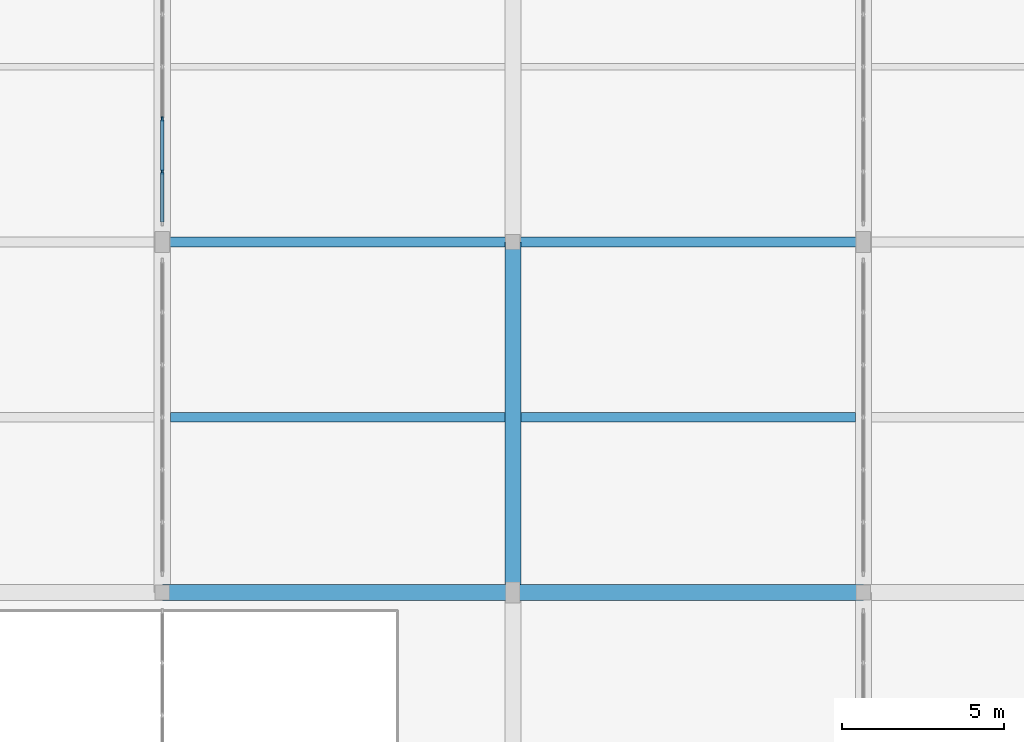
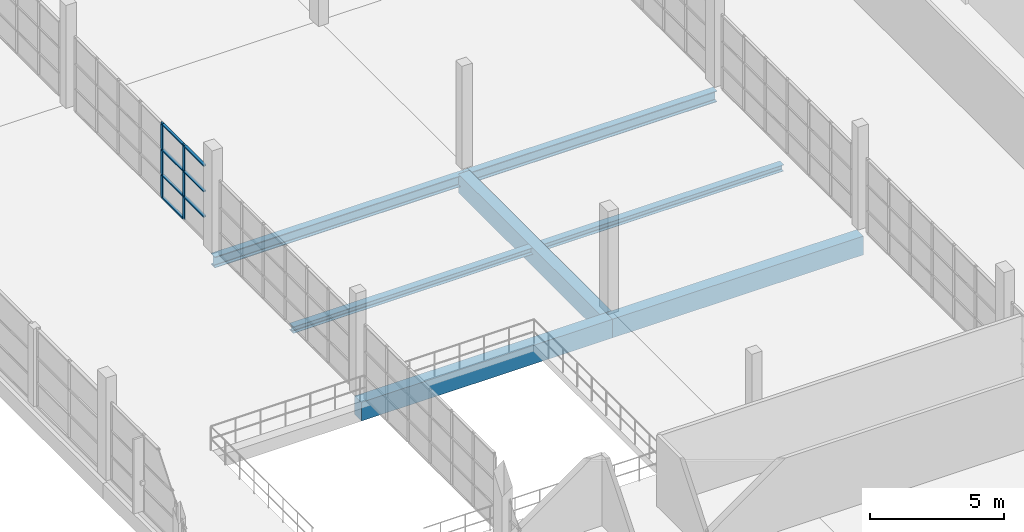
# One storey, part 15 of 142: 9 members, 7 beams, 1 element without a shape of its own.
"""IFC4 building model written with IfcOpenShell, lengths in metres."""

from ifc_helpers import new_model, si_unit, direction, frame, origin, origin_2d, place, context, subcontext, project, spatial, rectangle, i_section, extrude, material, material_profile, profile_set, type_object, element, aggregate, save


model = new_model("IFC4")

# Units and contexts
model_context = context("Model", 3, precision=1e-05, world=origin(), true_north=direction((0.0, 1.0)))
body_context = subcontext(model_context, "Body", "Model", "MODEL_VIEW")
ifc_project = project(units=[si_unit("LENGTHUNIT", "METRE"), si_unit("AREAUNIT", "SQUARE_METRE"), si_unit("VOLUMEUNIT", "CUBIC_METRE"), si_unit("PLANEANGLEUNIT", "RADIAN"), si_unit("MASSUNIT", "GRAM", prefix="KILO")], contexts=[model_context])

# Site, building, storey
site_placement = place(None, origin())
site = spatial("IfcSite", under=ifc_project, at=site_placement, CompositionType="ELEMENT")
building_placement = place(site_placement, origin())
building = spatial("IfcBuilding", under=site, at=building_placement, Name="Zwinboog Wholesale Market", CompositionType="ELEMENT")
storey_placement = place(building_placement, frame((0.0, 0.0, 5.39990234375)))
storey = spatial("IfcBuildingStorey", under=building, at=storey_placement, Name="L01", CompositionType="ELEMENT", Elevation=5.39990234375)

# Beams
ifc_material_1 = material(Name="Precast concrete C45/55", Category="concrete")
ifc_material_profile_1 = material_profile(ifc_material_1, rectangle(XDim=0.5, YDim=0.85009765625, at=origin_2d()), Name="PC 500x850")
ifc_profile_set_1 = profile_set([ifc_material_profile_1], Name="Precast concrete C45/55")
beam_type_1 = type_object("IfcBeamType", Name="BT-03", PredefinedType="BEAM", material=ifc_profile_set_1)
beam_1_placement = place(storey_placement, frame((10.800048828125, 32.39990234375, -0.7568359375), z_axis=(1.0, 0.0, 0.0), x_axis=(0.0, 1.0, 0.0)))
element("IfcBeam", 1, at=beam_1_placement, inside=storey, type_object=beam_type_1, Name="BG-03 (BMG-L01-0108-0324-0450)", PredefinedType="BEAM", context=body_context, shape_type="SweptSolid", body=[
    extrude(rectangle(XDim=0.5, YDim=0.85009765625, at=origin_2d()), origin(), (0.0, 0.0, 1.0), 10.800048828125),
])
beam_2_placement = place(storey_placement, frame((21.60009765625, 32.39990234375, -0.7568359375), z_axis=(1.0, 0.0, 0.0), x_axis=(0.0, 1.0, 0.0)))
element("IfcBeam", 2, at=beam_2_placement, inside=storey, type_object=beam_type_1, Name="BG-03 (BMG-L01-0216-0324-0451)", PredefinedType="BEAM", context=body_context, shape_type="SweptSolid", body=[
    extrude(rectangle(XDim=0.5, YDim=0.85009765625, at=origin_2d()), origin(), (0.0, 0.0, 1.0), 10.7998046875),
])
beam_3_placement = place(storey_placement, frame((21.60009765625, 32.39990234375, -0.7568359375), z_axis=(0.0, 1.0, 0.0), x_axis=(-1.0, 0.0, 0.0)))
element("IfcBeam", 3, at=beam_3_placement, inside=storey, type_object=beam_type_1, Name="BG-03 (BMG-L01-0216-0324-0626)", PredefinedType="BEAM", context=body_context, shape_type="SweptSolid", body=[
    extrude(rectangle(XDim=0.5, YDim=0.85009765625, at=origin_2d()), origin(), (0.0, 0.0, 1.0), 10.800048828125),
])
ifc_material_2 = material(Name="Steel S355", Category="steel")
ifc_material_profile_2 = material_profile(ifc_material_2, i_section(OverallWidth=0.300048828125, OverallDepth=0.5, WebThickness=0.014404296875, FlangeThickness=0.028076171875, FilletRadius=0.027099609375, at=origin_2d()), Name="HEB 500")
ifc_profile_set_2 = profile_set([ifc_material_profile_2], Name="Steel S355")
beam_type_2 = type_object("IfcBeamType", Name="BT-14", PredefinedType="BEAM", material=ifc_profile_set_2)
beam_4_placement = place(storey_placement, frame((10.800048828125, 43.199951171875, -0.581787109375), z_axis=(1.0, 0.0, 0.0), x_axis=(0.0, 1.0, 0.0)))
element("IfcBeam", 4, at=beam_4_placement, inside=storey, type_object=beam_type_2, Name="SB-01 (BMG-L01-0108-0432-0462)", PredefinedType="BEAM", context=body_context, shape_type="SweptSolid", body=[
    extrude(i_section(OverallWidth=0.300048828125, OverallDepth=0.5, WebThickness=0.014404296875, FlangeThickness=0.028076171875, FilletRadius=0.027099609375, at=origin_2d()), origin(), (0.0, 0.0, 1.0), 10.800048828125),
])
beam_5_placement = place(storey_placement, frame((21.60009765625, 43.199951171875, -0.581787109375), z_axis=(1.0, 0.0, 0.0), x_axis=(0.0, 1.0, 0.0)))
element("IfcBeam", 5, at=beam_5_placement, inside=storey, type_object=beam_type_2, Name="SB-01 (BMG-L01-0216-0432-0463)", PredefinedType="BEAM", context=body_context, shape_type="SweptSolid", body=[
    extrude(i_section(OverallWidth=0.300048828125, OverallDepth=0.5, WebThickness=0.014404296875, FlangeThickness=0.028076171875, FilletRadius=0.027099609375, at=origin_2d()), origin(), (0.0, 0.0, 1.0), 10.7998046875),
])
ifc_material_profile_3 = material_profile(ifc_material_2, i_section(OverallWidth=0.300048828125, OverallDepth=0.2900390625, WebThickness=0.008544921875, FlangeThickness=0.013916015625, FilletRadius=0.027099609375, at=origin_2d()), Name="HEA 300")
ifc_profile_set_3 = profile_set([ifc_material_profile_3], Name="Steel S355")
beam_type_3 = type_object("IfcBeamType", Name="BT-18", PredefinedType="JOIST", material=ifc_profile_set_3)
beam_6_placement = place(storey_placement, frame((11.050048828125, 37.800048828125, -0.476806640625), z_axis=(1.0, 0.0, 0.0), x_axis=(0.0, 1.0, 0.0)))
element("IfcBeam", 6, at=beam_6_placement, inside=storey, type_object=beam_type_3, Name="SJ-01 (BMG-L01-0110-0378-0782)", PredefinedType="JOIST", context=body_context, shape_type="SweptSolid", body=[
    extrude(i_section(OverallWidth=0.300048828125, OverallDepth=0.2900390625, WebThickness=0.008544921875, FlangeThickness=0.013916015625, FilletRadius=0.027099609375, at=origin_2d()), origin(), (0.0, 0.0, 1.0), 10.300048828125),
])
beam_7_placement = place(storey_placement, frame((21.85009765625, 37.800048828125, -0.476806640625), z_axis=(1.0, 0.0, 0.0), x_axis=(0.0, 1.0, 0.0)))
element("IfcBeam", 7, at=beam_7_placement, inside=storey, type_object=beam_type_3, Name="SJ-01 (BMG-L01-0218-0378-0787)", PredefinedType="JOIST", context=body_context, shape_type="SweptSolid", body=[
    extrude(i_section(OverallWidth=0.300048828125, OverallDepth=0.2900390625, WebThickness=0.008544921875, FlangeThickness=0.013916015625, FilletRadius=0.027099609375, at=origin_2d()), origin(), (0.0, 0.0, 1.0), 10.2998046875),
])

# Curtain wall, members
ifc_material_3 = material(Name="Aluminium thermally broken curtain wall", Category="aluminium")
curtain_wall_type = type_object("IfcCurtainWallType", Name="CWT-INT-STALL", PredefinedType="USERDEFINED", material=ifc_material_3)
curtain_wall_placement = place(storey_placement, origin())
curtain_wall = element("IfcCurtainWall", 8, at=curtain_wall_placement, inside=storey, type_object=curtain_wall_type, Name="CW-07 (CW-STL-259)", ObjectType="STOREFRONT_GLAZING", PredefinedType="USERDEFINED")
ifc_material_4 = material(Name="Aluminium EN AW-6060", Category="aluminium")
ifc_material_profile_4 = material_profile(ifc_material_4, rectangle(XDim=0.06005859375, YDim=0.14990234375, at=origin_2d()), Name="AL 60x150")
ifc_profile_set_4 = profile_set([ifc_material_profile_4], Name="Aluminium EN AW-6060")
member_type_1 = type_object("IfcMemberType", Name="CWM-INT-60x120", PredefinedType="MULLION", material=ifc_profile_set_4)
member_1_placement = place(storey_placement, frame((10.800048828125, 45.36669921875, 0.0), z_axis=(0.0, 0.0, 1.0), x_axis=(-1.0, 0.0, 0.0)))
member_1 = element("IfcMember", 9, at=member_1_placement, type_object=member_type_1, Name="CW-07 mullion 2", PredefinedType="MULLION", context=body_context, shape_type="SweptSolid", body=[
    extrude(rectangle(XDim=0.06005859375, YDim=0.14990234375, at=origin_2d()), origin(), (0.0, 0.0, 1.0), 3.400146484375),
])
member_2_placement = place(storey_placement, frame((10.800048828125, 46.9833984375, 0.0), z_axis=(0.0, 0.0, 1.0), x_axis=(-1.0, 0.0, 0.0)))
member_2 = element("IfcMember", 10, at=member_2_placement, type_object=member_type_1, Name="CW-07 mullion 3", PredefinedType="MULLION", context=body_context, shape_type="SweptSolid", body=[
    extrude(rectangle(XDim=0.06005859375, YDim=0.14990234375, at=origin_2d()), origin(), (0.0, 0.0, 1.0), 3.400146484375),
])
ifc_material_profile_5 = material_profile(ifc_material_4, rectangle(XDim=0.110107421875, YDim=0.06005859375, at=origin_2d()), Name="AL 60x110")
ifc_profile_set_5 = profile_set([ifc_material_profile_5], Name="Aluminium EN AW-6060")
member_type_2 = type_object("IfcMemberType", Name="CWT-INT-60x100", PredefinedType="USERDEFINED", material=ifc_profile_set_5)
member_3_placement = place(storey_placement, frame((10.800048828125, 43.81005859375, 1.050048828125), z_axis=(0.0, 1.0, 0.0), x_axis=(-1.0, 0.0, 0.0)))
member_3 = element("IfcMember", 11, at=member_3_placement, type_object=member_type_2, Name="CW-07 transom 1.2", ObjectType="TRANSOM", PredefinedType="USERDEFINED", context=body_context, shape_type="SweptSolid", body=[
    extrude(rectangle(XDim=0.110107421875, YDim=0.06005859375, at=origin_2d()), origin(), (0.0, 0.0, 1.0), 1.526611328125),
])
member_4_placement = place(storey_placement, frame((10.800048828125, 43.81005859375, 2.2001953125), z_axis=(0.0, 1.0, 0.0), x_axis=(-1.0, 0.0, 0.0)))
member_4 = element("IfcMember", 12, at=member_4_placement, type_object=member_type_2, Name="CW-07 transom 1.3", ObjectType="TRANSOM", PredefinedType="USERDEFINED", context=body_context, shape_type="SweptSolid", body=[
    extrude(rectangle(XDim=0.110107421875, YDim=0.06005859375, at=origin_2d()), origin(), (0.0, 0.0, 1.0), 1.526611328125),
])
member_5_placement = place(storey_placement, frame((10.800048828125, 43.81005859375, 3.3701171875), z_axis=(0.0, 1.0, 0.0), x_axis=(-1.0, 0.0, 0.0)))
member_5 = element("IfcMember", 13, at=member_5_placement, type_object=member_type_2, Name="CW-07 transom 1.4", ObjectType="TRANSOM", PredefinedType="USERDEFINED", context=body_context, shape_type="SweptSolid", body=[
    extrude(rectangle(XDim=0.110107421875, YDim=0.06005859375, at=origin_2d()), origin(), (0.0, 0.0, 1.0), 1.526611328125),
])
member_6_placement = place(storey_placement, frame((10.800048828125, 45.396728515625, 0.030029296875), z_axis=(0.0, 1.0, 0.0), x_axis=(-1.0, 0.0, 0.0)))
member_6 = element("IfcMember", 14, at=member_6_placement, type_object=member_type_2, Name="CW-07 transom 2.1", ObjectType="TRANSOM", PredefinedType="USERDEFINED", context=body_context, shape_type="SweptSolid", body=[
    extrude(rectangle(XDim=0.110107421875, YDim=0.06005859375, at=origin_2d()), origin(), (0.0, 0.0, 1.0), 1.556640625),
])
member_7_placement = place(storey_placement, frame((10.800048828125, 45.396728515625, 1.050048828125), z_axis=(0.0, 1.0, 0.0), x_axis=(-1.0, 0.0, 0.0)))
member_7 = element("IfcMember", 15, at=member_7_placement, type_object=member_type_2, Name="CW-07 transom 2.2", ObjectType="TRANSOM", PredefinedType="USERDEFINED", context=body_context, shape_type="SweptSolid", body=[
    extrude(rectangle(XDim=0.110107421875, YDim=0.06005859375, at=origin_2d()), origin(), (0.0, 0.0, 1.0), 1.556640625),
])
member_8_placement = place(storey_placement, frame((10.800048828125, 45.396728515625, 2.2001953125), z_axis=(0.0, 1.0, 0.0), x_axis=(-1.0, 0.0, 0.0)))
member_8 = element("IfcMember", 16, at=member_8_placement, type_object=member_type_2, Name="CW-07 transom 2.3", ObjectType="TRANSOM", PredefinedType="USERDEFINED", context=body_context, shape_type="SweptSolid", body=[
    extrude(rectangle(XDim=0.110107421875, YDim=0.06005859375, at=origin_2d()), origin(), (0.0, 0.0, 1.0), 1.556640625),
])
member_9_placement = place(storey_placement, frame((10.800048828125, 45.396728515625, 3.3701171875), z_axis=(0.0, 1.0, 0.0), x_axis=(-1.0, 0.0, 0.0)))
member_9 = element("IfcMember", 17, at=member_9_placement, type_object=member_type_2, Name="CW-07 transom 2.4", ObjectType="TRANSOM", PredefinedType="USERDEFINED", context=body_context, shape_type="SweptSolid", body=[
    extrude(rectangle(XDim=0.110107421875, YDim=0.06005859375, at=origin_2d()), origin(), (0.0, 0.0, 1.0), 1.556640625),
])
aggregate(curtain_wall, [member_1, member_2, member_3, member_4, member_5, member_6, member_7, member_8, member_9])

save(model, "model.ifc")
